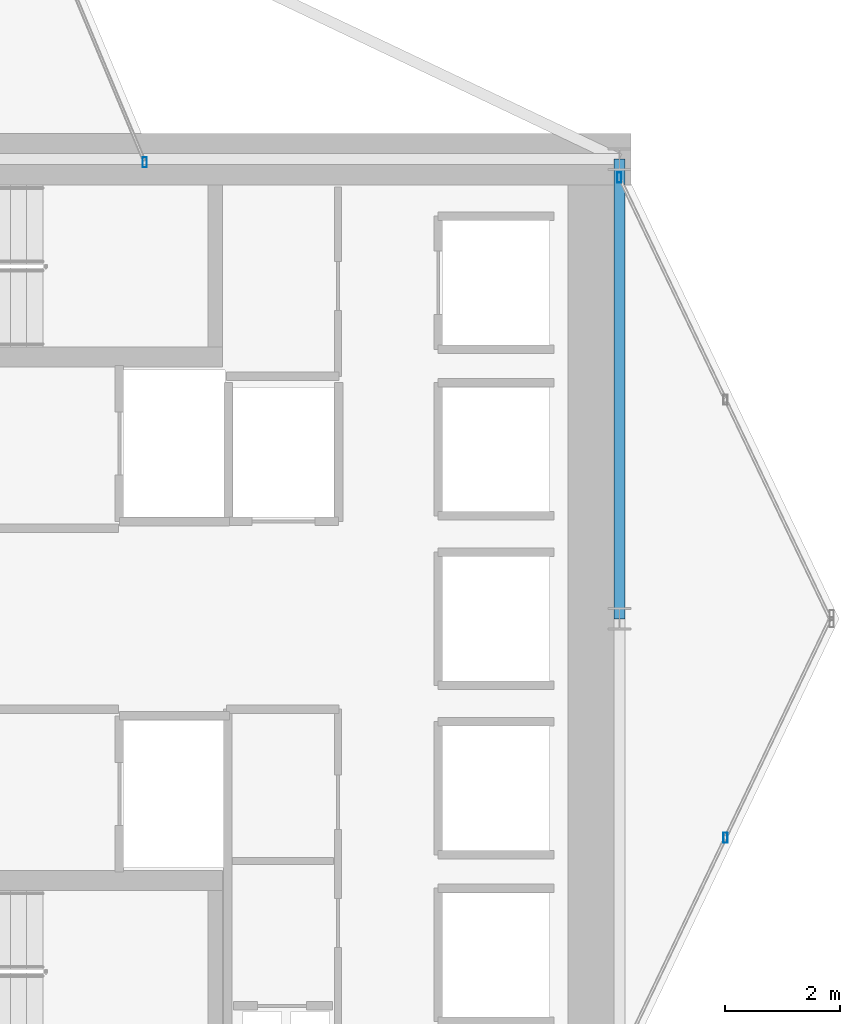
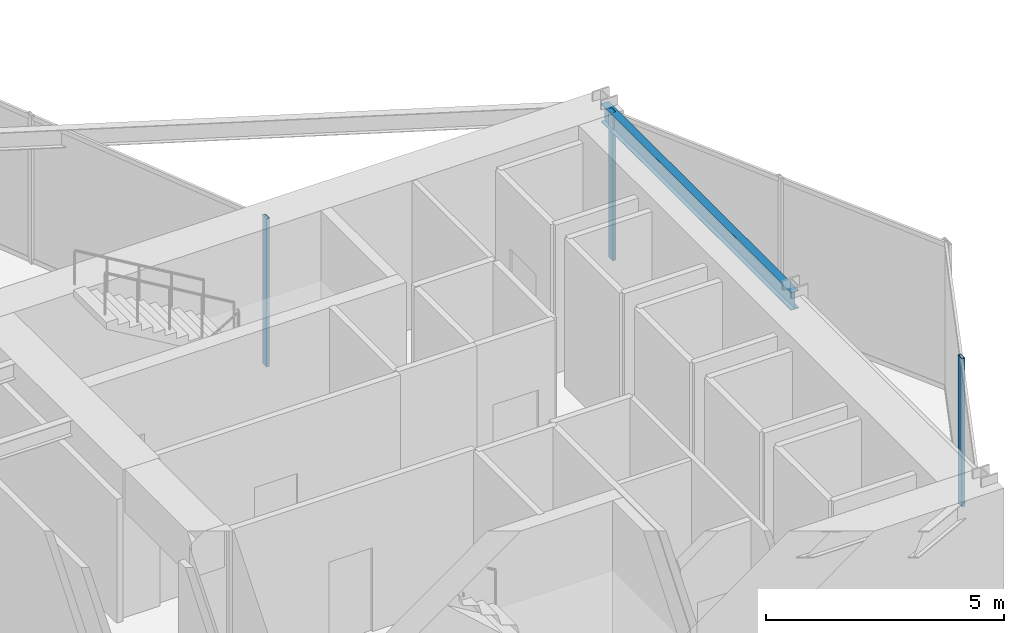
# One storey, part 14 of 24: 3 members, 1 beam, 3 elements without a shape of their own.
"""IFC4 building model written with IfcOpenShell, lengths in metres."""

import ifcopenshell
import ifcopenshell.guid

model = None  # the IFC model being written
_history = None  # IfcOwnerHistory: only IFC2X3 demands one
_inside = {}  # id of a spatial element -> (the spatial element, [elements in it])
_under = {}  # id of a project, library or spatial element -> (it, [spatial elements below it])
_declared = {}  # id of a project -> (the project, [libraries it declares])
_typed = {}  # id of a type object -> (the type object, [elements of that type])
_made_of = {}  # id of a material, layer set ... -> (it, [elements and type objects made of it])


def new_model(schema):
    """Start an empty IFC model of exactly this schema.

    Asked for "IFC4X3", IfcOpenShell would pick the latest addendum, in which some entities
    have other attributes; the version numbers below select the first issue.
    IFC2X3 requires an IfcOwnerHistory on every rooted entity: one is made here for all.
    """
    global model, _history
    if schema == "IFC4X3":
        model = ifcopenshell.file(schema_version=(4, 3, 0, 0))
    else:
        model = ifcopenshell.file(schema=schema)
    _inside.clear()
    _under.clear()
    _declared.clear()
    _typed.clear()
    _made_of.clear()
    _history = None
    if model.schema == "IFC2X3":
        org = make("IfcOrganization", Name="unknown")
        user = make(
            "IfcPersonAndOrganization",
            ThePerson=make("IfcPerson", FamilyName="unknown"),
            TheOrganization=org,
        )
        app = make(
            "IfcApplication",
            ApplicationDeveloper=org,
            Version="unknown",
            ApplicationFullName="unknown",
            ApplicationIdentifier="unknown",
        )
        _history = make(
            "IfcOwnerHistory",
            OwningUser=user,
            OwningApplication=app,
            ChangeAction="ADDED",
            CreationDate=0,
        )
    return model


def make(cls, **values):
    """One entity of the class cls with the attributes given. An attribute that is None is left unset."""
    return model.create_entity(
        cls, **{name: value for name, value in values.items() if value is not None}
    )


def rooted(cls, **values):
    """An entity with a GlobalId (a new one), such as an element, a storey or a relation."""
    return make(cls, GlobalId=ifcopenshell.guid.new(), OwnerHistory=_history, **values)


def si_unit(unit_type, name, prefix=None):
    """IfcSIUnit, for example si_unit("LENGTHUNIT", "METRE", prefix="MILLI")."""
    return make("IfcSIUnit", UnitType=unit_type, Prefix=prefix, Name=name)


def assignment(units):
    """IfcUnitAssignment: the units of a project."""
    return None if units is None else make("IfcUnitAssignment", Units=units)


def point(xyz):
    """IfcCartesianPoint."""
    return None if xyz is None else make("IfcCartesianPoint", Coordinates=xyz)


def direction(xyz):
    """IfcDirection."""
    return None if xyz is None else make("IfcDirection", DirectionRatios=xyz)


def frame(location, z_axis=None, x_axis=None):
    """IfcAxis2Placement3D, a coordinate frame: its origin and axes. An axis left out is left unset."""
    return make(
        "IfcAxis2Placement3D",
        Location=point(location),
        Axis=direction(z_axis),
        RefDirection=direction(x_axis),
    )


def frame_2d(location, x_axis=None):
    """IfcAxis2Placement2D, a coordinate frame in the plane: its origin and x axis."""
    return make(
        "IfcAxis2Placement2D", Location=point(location), RefDirection=direction(x_axis)
    )


def origin():
    """The frame at (0, 0, 0) with its axes left unset."""
    return frame((0.0, 0.0, 0.0))


def origin_2d():
    """The frame at (0, 0) in the plane with its x axis left unset."""
    return frame_2d((0.0, 0.0))


def place(relative_to, where):
    """IfcLocalPlacement: puts the frame where relative to a parent placement (None: the world)."""
    return make(
        "IfcLocalPlacement", PlacementRelTo=relative_to, RelativePlacement=where
    )


def context(
    kind, dimensions, precision=None, world=None, true_north=None, identifier=None
):
    """IfcGeometricRepresentationContext, for example the 3D "Model" context."""
    return make(
        "IfcGeometricRepresentationContext",
        ContextIdentifier=identifier,
        ContextType=kind,
        CoordinateSpaceDimension=dimensions,
        Precision=precision,
        WorldCoordinateSystem=world,
        TrueNorth=true_north,
    )


def subcontext(parent, identifier, kind, view, scale=None):
    """IfcGeometricRepresentationSubContext, for example "Body" below "Model"."""
    return make(
        "IfcGeometricRepresentationSubContext",
        ContextIdentifier=identifier,
        ContextType=kind,
        ParentContext=parent,
        TargetScale=scale,
        TargetView=view,
    )


def project(units=None, contexts=None):
    """IfcProject with its units and contexts."""
    return rooted(
        "IfcProject",
        Name="project",
        RepresentationContexts=contexts,
        UnitsInContext=assignment(units),
    )


def spatial(cls, under=None, at=None, **own):
    """A site, building, storey or space (cls), placed at a placement, below another one or the project."""
    s = rooted(cls, ObjectPlacement=at, **own)
    if under is not None:
        _under.setdefault(under.id(), (under, []))[1].append(s)
    return s


def profile(cls, at=None, kind="AREA", **sizes):
    """A parametric profile (cls). Its sizes go by their IFC names, for example OverallWidth=200.0."""
    return make(cls, ProfileType=kind, Position=at, **sizes)


def hollow_rectangle(**sizes):
    """IfcRectangleHollowProfileDef."""
    return profile("IfcRectangleHollowProfileDef", **sizes)


def i_section(**sizes):
    """IfcIShapeProfileDef."""
    return profile("IfcIShapeProfileDef", **sizes)


def extrude(swept, where, along, depth):
    """IfcExtrudedAreaSolid: the profile swept, set in the frame where, extruded along a direction by depth."""
    return make(
        "IfcExtrudedAreaSolid",
        SweptArea=swept,
        Position=where,
        ExtrudedDirection=direction(along),
        Depth=depth,
    )


def shape(context_of_items, identifier, shape_type, items):
    """IfcShapeRepresentation: the items that make up one representation, for example the "Body"."""
    return make(
        "IfcShapeRepresentation",
        ContextOfItems=context_of_items,
        RepresentationIdentifier=identifier,
        RepresentationType=shape_type,
        Items=items,
    )


def material(Name=None, Category=None):
    """IfcMaterial."""
    return make("IfcMaterial", Name=Name, Category=Category)


def layer(
    of_material, thickness, ventilated=None, Name=None, Category=None, Priority=None
):
    """IfcMaterialLayer: one layer of a wall or slab, of a material (None: an air gap)."""
    return make(
        "IfcMaterialLayer",
        Material=of_material,
        LayerThickness=thickness,
        IsVentilated=ventilated,
        Name=Name,
        Category=Category,
        Priority=Priority,
    )


def layer_set(layers, Name=None):
    """IfcMaterialLayerSet."""
    return make("IfcMaterialLayerSet", MaterialLayers=layers, LayerSetName=Name)


def material_profile(
    of_material, cross_section, Name=None, Category=None, Priority=None
):
    """IfcMaterialProfile: a cross section and its material."""
    return make(
        "IfcMaterialProfile",
        Name=Name,
        Material=of_material,
        Profile=cross_section,
        Priority=Priority,
        Category=Category,
    )


def profile_set(profiles, Name=None, composite=None):
    """IfcMaterialProfileSet."""
    return make(
        "IfcMaterialProfileSet",
        Name=Name,
        MaterialProfiles=profiles,
        CompositeProfile=composite,
    )


def made_of(thing, what):
    """Note that an element or type object is made of a material, layer set ...; save() writes the relation."""
    if what is not None:
        _made_of.setdefault(what.id(), (what, []))[1].append(thing)
    return thing


def type_object(cls, material=None, **own):
    """A type object (cls), such as IfcWallType, which elements share."""
    return made_of(rooted(cls, **own), material)


def element(
    cls,
    number,
    at=None,
    inside=None,
    cuts=None,
    type_object=None,
    material=None,
    context=None,
    identifier="Body",
    shape_type=None,
    held_by="IfcProductDefinitionShape",
    body=None,
    shapes=None,
    **own,
):
    """One element of the class cls, such as IfcWall. Its Tag is "e" and its number.

    at: its placement. inside: the storey or other place that contains it. cuts: it is an
    opening in that element (IfcRelVoidsElement). A single representation is given by context,
    identifier, shape_type and body (its items); several are given by shapes. held_by: the class
    of the entity that holds the representations. save() writes the other relations.
    """
    e = rooted(cls, Tag="e%d" % number, ObjectPlacement=at, **own)
    if body is not None:
        shapes = [shape(context, identifier, shape_type, body)]
    if shapes is not None:
        e.Representation = make(held_by, Representations=shapes)
    if inside is not None:
        _inside.setdefault(inside.id(), (inside, []))[1].append(e)
    if cuts is not None:
        rooted(
            "IfcRelVoidsElement", RelatingBuildingElement=cuts, RelatedOpeningElement=e
        )
    if type_object is not None:
        _typed.setdefault(type_object.id(), (type_object, []))[1].append(e)
    return made_of(e, material)


def aggregate(whole, parts):
    """IfcRelAggregates: a whole, such as a stair, and the parts it consists of."""
    return rooted("IfcRelAggregates", RelatingObject=whole, RelatedObjects=parts)


def save(model, path):
    """Write the relations noted so far, then the file.

    IfcRelAggregates (storeys below a building ...), IfcRelContainedInSpatialStructure (elements
    in a storey), IfcRelDefinesByType, IfcRelAssociatesMaterial and IfcRelDeclares: one each for
    every whole, place, type object, material and project.
    """
    for whole, parts in _under.values():
        aggregate(whole, parts)
    for where, things in _inside.values():
        rooted(
            "IfcRelContainedInSpatialStructure",
            RelatedElements=things,
            RelatingStructure=where,
        )
    for kind, things in _typed.values():
        rooted("IfcRelDefinesByType", RelatedObjects=things, RelatingType=kind)
    for what, things in _made_of.values():
        rooted("IfcRelAssociatesMaterial", RelatedObjects=things, RelatingMaterial=what)
    for by, libraries in _declared.values():
        rooted("IfcRelDeclares", RelatingContext=by, RelatedDefinitions=libraries)
    model.write(path)


model = new_model("IFC4")

# Units and contexts
model_context = context("Model", 3, precision=1e-05, world=origin(), true_north=direction((0.0, 1.0)))
body_context = subcontext(model_context, "Body", "Model", "MODEL_VIEW")
ifc_project = project(units=[si_unit("LENGTHUNIT", "METRE"), si_unit("AREAUNIT", "SQUARE_METRE"), si_unit("VOLUMEUNIT", "CUBIC_METRE"), si_unit("PLANEANGLEUNIT", "RADIAN"), si_unit("MASSUNIT", "GRAM", prefix="KILO")], contexts=[model_context])

# Site, building, storey
site_placement = place(None, origin())
site = spatial("IfcSite", under=ifc_project, at=site_placement, CompositionType="ELEMENT")
building_placement = place(site_placement, origin())
building = spatial("IfcBuilding", under=site, at=building_placement, Name="Veymaron Broadcast Tower", CompositionType="ELEMENT")
storey_placement = place(building_placement, frame((0.0, 0.0, 78.300048828125)))
storey = spatial("IfcBuildingStorey", under=building, at=storey_placement, Name="L17", CompositionType="ELEMENT", Elevation=78.300048828125)

# Beam
ifc_material_1 = material(Name="Structural steel ASTM A992 Gr 50", Category="steel")
ifc_material_profile_1 = material_profile(ifc_material_1, i_section(OverallWidth=0.19091796875, OverallDepth=0.4599609375, WebThickness=0.010009765625, FlangeThickness=0.01611328125, at=origin_2d()), Name="W460X82")
ifc_profile_set_1 = profile_set([ifc_material_profile_1], Name="Structural steel ASTM A992 Gr 50")
beam_type = type_object("IfcBeamType", Name="BM-SP1", PredefinedType="SPANDREL", material=ifc_profile_set_1)
beam_placement = place(storey_placement, frame((54.60009765625, 24.0, 3.579833984375), z_axis=(0.0, 1.0, 0.0), x_axis=(-1.0, 0.0, 0.0)))
element("IfcBeam", 1, at=beam_placement, inside=storey, type_object=beam_type, Name="L17 primary structural floor girder", PredefinedType="SPANDREL", context=body_context, shape_type="SweptSolid", body=[
    extrude(i_section(OverallWidth=0.19091796875, OverallDepth=0.4599609375, WebThickness=0.010009765625, FlangeThickness=0.01611328125, at=origin_2d()), origin(), (0.0, 0.0, 1.0), 8.0),
])

# Curtain wall, member
ifc_material_2 = material(Name="Anodised aluminium AA 6063-T6 and laminated low-E dark glass", Category="aluminium")
ifc_layer = layer(ifc_material_2, 0.179931640625)
ifc_layer_set = layer_set([ifc_layer], Name="Anodised aluminium AA 6063-T6 and laminated low-E dark glass")
curtain_wall_type = type_object("IfcCurtainWallType", Name="CW-SYS-02", PredefinedType="NOTDEFINED", material=ifc_layer_set)
curtain_wall_1_placement = place(storey_placement, origin())
curtain_wall_1 = element("IfcCurtainWall", 2, at=curtain_wall_1_placement, inside=storey, type_object=curtain_wall_type, Name="L17 dark-glass curtain wall CW-L17-E2-1", PredefinedType="NOTDEFINED")
ifc_material_3 = material(Name="Anodised aluminium AA 6063-T6", Category="aluminium")
ifc_material_profile_2 = material_profile(ifc_material_3, hollow_rectangle(XDim=0.074951171875, YDim=0.179931640625, WallThickness=0.0048828125, at=origin_2d()), Name="AL180X75X5")
ifc_profile_set_2 = profile_set([ifc_material_profile_2], Name="Anodised aluminium AA 6063-T6")
member_type = type_object("IfcMemberType", Name="CW-MUL-02", PredefinedType="MULLION", material=ifc_profile_set_2)
member_1_placement = place(storey_placement, frame((56.446044921875, 20.188720703125, 0.0), z_axis=(0.0, 0.0, 1.0), x_axis=(1.0, 0.0, 0.0)))
member_1 = element("IfcMember", 3, at=member_1_placement, type_object=member_type, Name="CW-L17-E2-1 mullion 1", PredefinedType="MULLION", context=body_context, shape_type="SweptSolid", body=[
    extrude(hollow_rectangle(XDim=0.074951171875, YDim=0.179931640625, WallThickness=0.0048828125, at=origin_2d()), origin(), (0.0, 0.0, 1.0), 3.81005859375),
])
aggregate(curtain_wall_1, [member_1])

curtain_wall_2_placement = place(storey_placement, origin())
curtain_wall_2 = element("IfcCurtainWall", 4, at=curtain_wall_2_placement, inside=storey, type_object=curtain_wall_type, Name="L17 dark-glass curtain wall CW-L17-E3-1", PredefinedType="NOTDEFINED")
member_2_placement = place(storey_placement, frame((54.59619140625, 31.68310546875, 0.0), z_axis=(0.0, 0.0, 1.0), x_axis=(1.0, 0.0, 0.0)))
member_2 = element("IfcMember", 5, at=member_2_placement, type_object=member_type, Name="CW-L17-E3-1 mullion 2", PredefinedType="MULLION", context=body_context, shape_type="SweptSolid", body=[
    extrude(hollow_rectangle(XDim=0.074951171875, YDim=0.179931640625, WallThickness=0.0048828125, at=origin_2d()), origin(), (0.0, 0.0, 1.0), 3.81005859375),
])
aggregate(curtain_wall_2, [member_2])

curtain_wall_3_placement = place(storey_placement, origin())
curtain_wall_3 = element("IfcCurtainWall", 6, at=curtain_wall_3_placement, inside=storey, type_object=curtain_wall_type, Name="L17 dark-glass curtain wall CW-L17-E5-1", PredefinedType="NOTDEFINED")
member_3_placement = place(storey_placement, frame((46.336669921875, 31.946044921875, 0.0), z_axis=(0.0, 0.0, 1.0), x_axis=(1.0, 0.0, 0.0)))
member_3 = element("IfcMember", 7, at=member_3_placement, type_object=member_type, Name="CW-L17-E5-1 mullion 0", PredefinedType="MULLION", context=body_context, shape_type="SweptSolid", body=[
    extrude(hollow_rectangle(XDim=0.074951171875, YDim=0.179931640625, WallThickness=0.0048828125, at=origin_2d()), origin(), (0.0, 0.0, 1.0), 3.81005859375),
])
aggregate(curtain_wall_3, [member_3])

save(model, "model.ifc")
